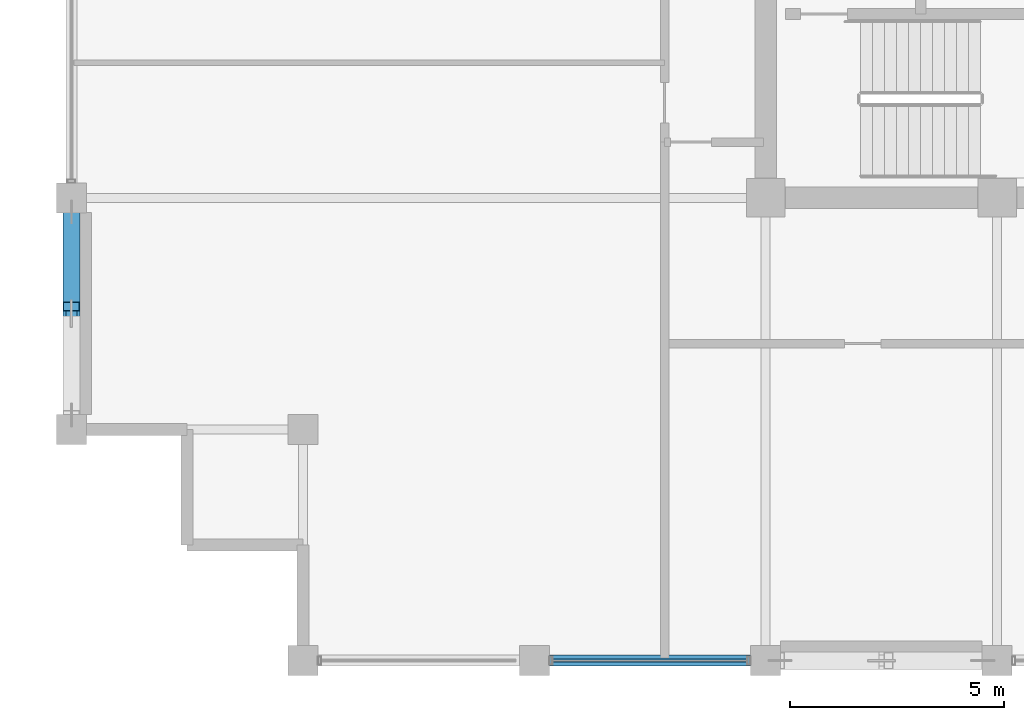
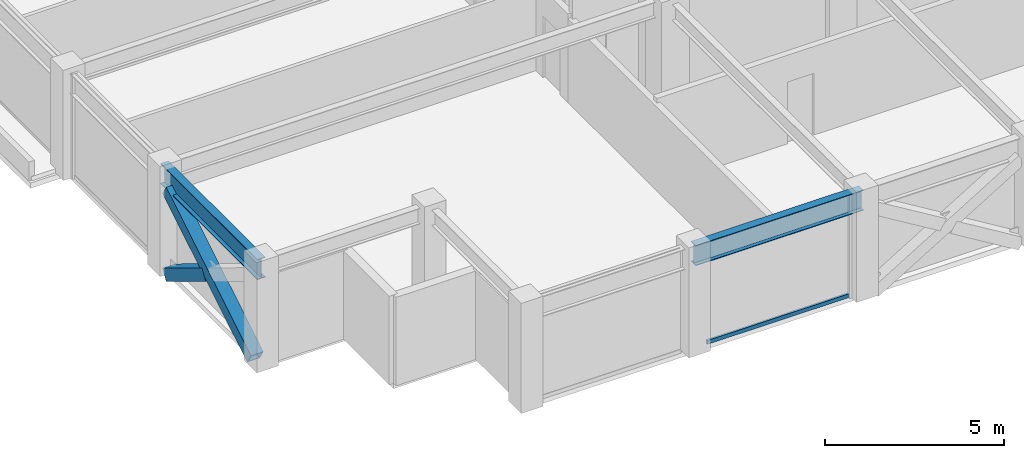
# One storey, part 3 of 30: 3 members, 2 beams, 1 element without a shape of its own.
"""IFC4 building model written with IfcOpenShell, lengths in metres."""

from ifc_helpers import new_model, si_unit, direction, frame, origin, origin_2d, place, context, subcontext, project, spatial, hollow_rectangle, i_section, extrude, material, layer, layer_set, material_profile, profile_set, type_object, element, aggregate, save


model = new_model("IFC4")

# Units and contexts
model_context = context("Model", 3, precision=1e-05, world=origin(), true_north=direction((0.0, 1.0)))
body_context = subcontext(model_context, "Body", "Model", "MODEL_VIEW")
ifc_project = project(units=[si_unit("LENGTHUNIT", "METRE"), si_unit("AREAUNIT", "SQUARE_METRE"), si_unit("VOLUMEUNIT", "CUBIC_METRE"), si_unit("PLANEANGLEUNIT", "RADIAN"), si_unit("MASSUNIT", "GRAM", prefix="KILO")], contexts=[model_context])

# Site, building, storey
site_placement = place(None, origin())
site = spatial("IfcSite", under=ifc_project, at=site_placement, CompositionType="ELEMENT")
building_placement = place(site_placement, origin())
building = spatial("IfcBuilding", under=site, at=building_placement, Name="Surkhivell Harbour Commons", CompositionType="ELEMENT")
storey_placement = place(building_placement, frame((0.0, 0.0, 281.25)))
storey = spatial("IfcBuildingStorey", under=building, at=storey_placement, Name="L73", CompositionType="ELEMENT", Elevation=281.25)

# Beams
ifc_material_1 = material(Name="Steel S355", Category="steel")
ifc_material_profile_1 = material_profile(ifc_material_1, i_section(OverallWidth=0.256103515625, OverallDepth=0.693115234375, WebThickness=0.014404296875, FlangeThickness=0.023681640625, at=origin_2d()), Name="UB686x254x170")
ifc_profile_set_1 = profile_set([ifc_material_profile_1], Name="Steel S355")
beam_type = type_object("IfcBeamType", Name="BM-SPN-686", PredefinedType="SPANDREL", material=ifc_profile_set_1)
for number, where, z_axis, x_axis, name in (
    (1, (-27.0, -16.199951171875, 3.223388671875), (0.0, 1.0, 0.0), (-1.0, 0.0, 0.0), "L73 Tube Spandrel (-27.0,-16.2)"),
    (2, (-16.199951171875, -21.60009765625, 3.223388671875), (1.0, 0.0, 0.0), (0.0, 1.0, 0.0), "L73 Tube Spandrel (-16.2,-21.6)"),
):
    element("IfcBeam", number, at=place(storey_placement, frame(where, z_axis=z_axis, x_axis=x_axis)), inside=storey, type_object=beam_type, Name=name, PredefinedType="SPANDREL", context=body_context, shape_type="SweptSolid", body=[
        extrude(i_section(OverallWidth=0.256103515625, OverallDepth=0.693115234375, WebThickness=0.014404296875, FlangeThickness=0.023681640625, at=origin_2d()), origin(), (0.0, 0.0, 1.0), 5.39990234375),
    ])

# Curtain wall, member
ifc_material_2 = material(Name="Anodised pale-metal aluminium and insulated glazing", Category="aluminium")
ifc_layer = layer(ifc_material_2, 0.175048828125)
ifc_layer_set = layer_set([ifc_layer], Name="Anodised pale-metal aluminium and insulated glazing")
curtain_wall_type = type_object("IfcCurtainWallType", Name="CW-SYS-Z4", PredefinedType="NOTDEFINED", material=ifc_layer_set)
curtain_wall_placement = place(storey_placement, origin())
curtain_wall = element("IfcCurtainWall", 3, at=curtain_wall_placement, inside=storey, type_object=curtain_wall_type, Name="L73 Curtain Wall CW-L73-E00S1", PredefinedType="NOTDEFINED")
ifc_material_3 = material(Name="Champagne anodised aluminium alloy 6063-T6", Category="aluminium")
ifc_material_profile_2 = material_profile(ifc_material_3, hollow_rectangle(XDim=0.070068359375, YDim=0.1298828125, WallThickness=0.00341796875, at=origin_2d()), Name="ALU-TRAN-70x130")
ifc_profile_set_2 = profile_set([ifc_material_profile_2], Name="Champagne anodised aluminium alloy 6063-T6")
member_type_1 = type_object("IfcMemberType", Name="CWT-130", PredefinedType="USERDEFINED", material=ifc_profile_set_2)
member_1_placement = place(storey_placement, frame((-15.77294921875, -21.60009765625, 0.06494140625), z_axis=(1.0, 0.0, 0.0), x_axis=(0.0, 1.0, 0.0)))
member_1 = element("IfcMember", 4, at=member_1_placement, type_object=member_type_1, Name="CW-Z4 transom 2.1", ObjectType="TRANSOM", PredefinedType="USERDEFINED", context=body_context, shape_type="SweptSolid", body=[
    extrude(hollow_rectangle(XDim=0.070068359375, YDim=0.1298828125, WallThickness=0.00341796875, at=origin_2d()), origin(), (0.0, 0.0, 1.0), 4.5458984375),
])
aggregate(curtain_wall, [member_1])

# Members
ifc_material_4 = material(Name="Steel S460", Category="steel")
ifc_material_profile_3 = material_profile(ifc_material_4, hollow_rectangle(XDim=0.39990234375, YDim=0.39990234375, WallThickness=0.02001953125, at=origin_2d()), Name="SHS400x400x20")
ifc_profile_set_3 = profile_set([ifc_material_profile_3], Name="Steel S460")
member_type_2 = type_object("IfcMemberType", Name="MEM-BRC-SHS400", PredefinedType="BRACE", material=ifc_profile_set_3)
member_2_placement = place(storey_placement, frame((-27.0, -15.864990234375, 0.008056640625), z_axis=(0.0, 0.854685454322, 0.519146197299), x_axis=(-1.0, 0.0, 0.0)))
element("IfcMember", 5, at=member_2_placement, inside=storey, type_object=member_type_2, Name="L73 Perimeter Mega-Brace MB- 10", PredefinedType="BRACE", context=body_context, shape_type="SweptSolid", body=[
    extrude(hollow_rectangle(XDim=0.39990234375, YDim=0.39990234375, WallThickness=0.02001953125, at=origin_2d()), origin(), (0.0, 0.0, 1.0), 5.5341796875),
])
member_3_placement = place(storey_placement, frame((-27.0, -11.135009765625, 0.008056640625), z_axis=(0.0, -0.854719912157, 0.519089464122), x_axis=(1.0, 0.0, 0.0)))
element("IfcMember", 6, at=member_3_placement, inside=storey, type_object=member_type_2, Name="L73 Perimeter Mega-Brace MB- 11", PredefinedType="BRACE", context=body_context, shape_type="SweptSolid", body=[
    extrude(hollow_rectangle(XDim=0.39990234375, YDim=0.39990234375, WallThickness=0.02001953125, at=origin_2d()), origin(), (0.0, 0.0, 1.0), 2.574951171875),
])

save(model, "model.ifc")
